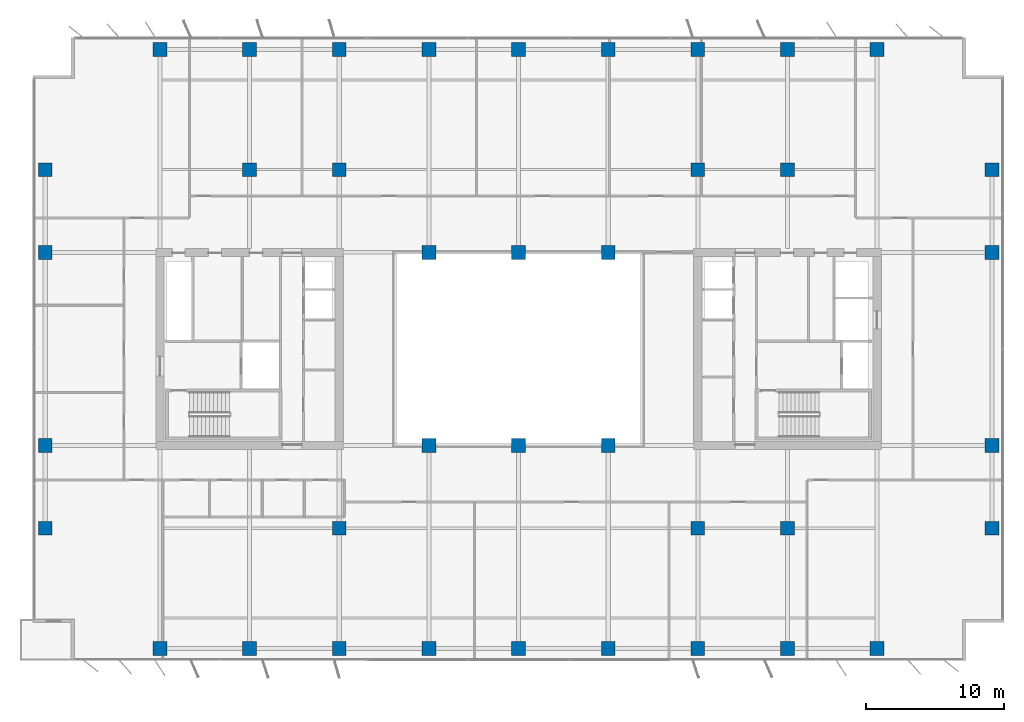
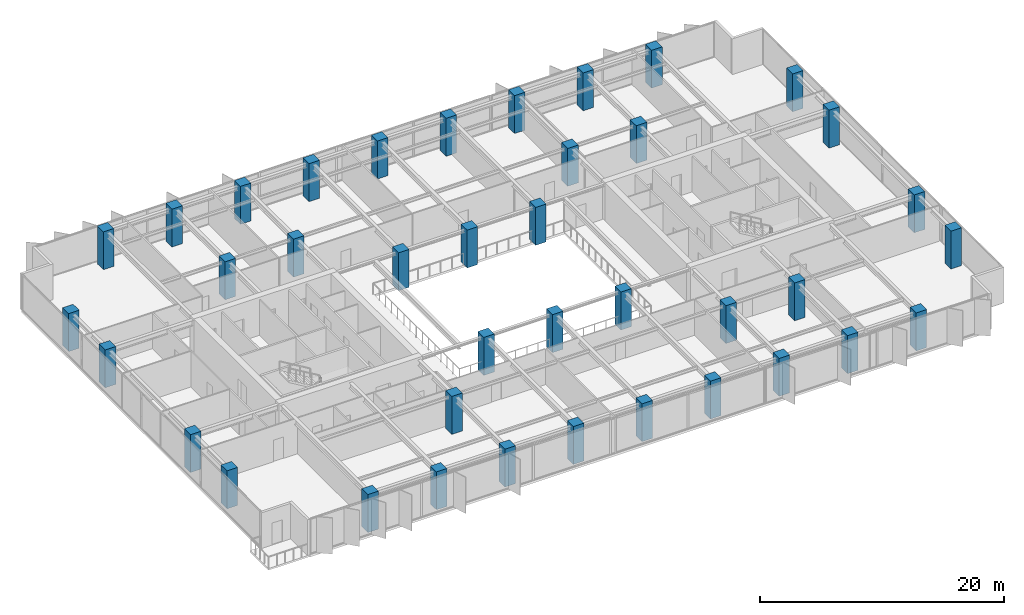
# One storey, part 1 of 22: 39 columns.
"""IFC4 building model written with IfcOpenShell, lengths in metres."""

from ifc_helpers import new_model, si_unit, direction, frame, origin, origin_2d, place, context, subcontext, project, spatial, rectangle, extrude, material, material_profile, profile_set, type_object, element, save


model = new_model("IFC4")

# Units and contexts
model_context = context("Model", 3, precision=1e-05, world=origin(), true_north=direction((0.0, 1.0)))
body_context = subcontext(model_context, "Body", "Model", "MODEL_VIEW")
ifc_project = project(units=[si_unit("LENGTHUNIT", "METRE"), si_unit("AREAUNIT", "SQUARE_METRE"), si_unit("VOLUMEUNIT", "CUBIC_METRE"), si_unit("PLANEANGLEUNIT", "RADIAN"), si_unit("MASSUNIT", "GRAM", prefix="KILO")], contexts=[model_context])

# Site, building, storey
site_placement = place(None, origin())
site = spatial("IfcSite", under=ifc_project, at=site_placement, CompositionType="ELEMENT")
building_placement = place(site_placement, origin())
building = spatial("IfcBuilding", under=site, at=building_placement, Name="Putna Gate Headquarters", CompositionType="ELEMENT")
storey_placement = place(building_placement, frame((0.0, 0.0, 159.39990234375)))
storey = spatial("IfcBuildingStorey", under=building, at=storey_placement, Name="L39", CompositionType="ELEMENT", Elevation=159.39990234375)

# Columns
ifc_material = material(Name="Concrete C50/60", Category="concrete")
ifc_material_profile_1 = material_profile(ifc_material, rectangle(XDim=1.0, YDim=1.0, at=origin_2d()), Name="Concrete C50/60")
ifc_profile_set_1 = profile_set([ifc_material_profile_1], Name="Concrete C50/60")
column_type_1 = type_object("IfcColumnType", Name="COL-RC1000-EXT", PredefinedType="COLUMN", material=ifc_profile_set_1)
for number, where, z_axis, x_axis, name in (
    (1, (13.0, 4.280029296875, 0.0), (0.0, 0.0, 1.0), (1.0, 0.0, 0.0), "L39 Column CP-S13"),
    (2, (13.0, 47.719970703125, 0.0), (0.0, 0.0, 1.0), (1.0, 0.0, 0.0), "L39 Column CP-N13"),
    (3, (19.5, 4.280029296875, 0.0), (0.0, 0.0, 1.0), (1.0, 0.0, 0.0), "L39 Column CP-S19"),
    (4, (19.5, 47.719970703125, 0.0), (0.0, 0.0, 1.0), (1.0, 0.0, 0.0), "L39 Column CP-N19"),
    (5, (26.0, 4.280029296875, 0.0), (0.0, 0.0, 1.0), (1.0, 0.0, 0.0), "L39 Column CP-S26"),
    (6, (26.0, 47.719970703125, 0.0), (0.0, 0.0, 1.0), (1.0, 0.0, 0.0), "L39 Column CP-N26"),
    (7, (32.5, 4.280029296875, 0.0), (0.0, 0.0, 1.0), (1.0, 0.0, 0.0), "L39 Column CP-S32"),
    (8, (32.5, 47.719970703125, 0.0), (0.0, 0.0, 1.0), (1.0, 0.0, 0.0), "L39 Column CP-N32"),
    (9, (39.0, 4.280029296875, 0.0), (0.0, 0.0, 1.0), (1.0, 0.0, 0.0), "L39 Column CP-S39"),
    (10, (39.0, 47.719970703125, 0.0), (0.0, 0.0, 1.0), (1.0, 0.0, 0.0), "L39 Column CP-N39"),
    (11, (45.5, 4.280029296875, 0.0), (0.0, 0.0, 1.0), (1.0, 0.0, 0.0), "L39 Column CP-S45"),
    (12, (45.5, 47.719970703125, 0.0), (0.0, 0.0, 1.0), (1.0, 0.0, 0.0), "L39 Column CP-N45"),
    (13, (52.0, 4.280029296875, 0.0), (0.0, 0.0, 1.0), (1.0, 0.0, 0.0), "L39 Column CP-S52"),
    (14, (52.0, 47.719970703125, 0.0), (0.0, 0.0, 1.0), (1.0, 0.0, 0.0), "L39 Column CP-N52"),
    (15, (58.5, 4.280029296875, 0.0), (0.0, 0.0, 1.0), (1.0, 0.0, 0.0), "L39 Column CP-S58"),
    (16, (58.5, 47.719970703125, 0.0), (0.0, 0.0, 1.0), (1.0, 0.0, 0.0), "L39 Column CP-N58"),
    (17, (65.0, 4.280029296875, 0.0), (0.0, 0.0, 1.0), (1.0, 0.0, 0.0), "L39 Column CP-S65"),
    (18, (65.0, 47.719970703125, 0.0), (0.0, 0.0, 1.0), (1.0, 0.0, 0.0), "L39 Column CP-N65"),
    (19, (4.679931640625, 13.0, 0.0), (0.0, 0.0, 1.0), (1.0, 0.0, 0.0), "L39 Column CP-W13"),
    (20, (73.320068359375, 13.0, 0.0), (0.0, 0.0, 1.0), (1.0, 0.0, 0.0), "L39 Column CP-E13"),
    (21, (4.679931640625, 19.0, 0.0), (0.0, 0.0, 1.0), (1.0, 0.0, 0.0), "L39 Column CP-W19"),
    (22, (73.320068359375, 19.0, 0.0), (0.0, 0.0, 1.0), (1.0, 0.0, 0.0), "L39 Column CP-E19"),
    (23, (4.679931640625, 33.0, 0.0), (0.0, 0.0, 1.0), (1.0, 0.0, 0.0), "L39 Column CP-W33"),
    (24, (73.320068359375, 33.0, 0.0), (0.0, 0.0, 1.0), (1.0, 0.0, 0.0), "L39 Column CP-E33"),
    (25, (4.679931640625, 39.0, 0.0), (0.0, 0.0, 1.0), (1.0, 0.0, 0.0), "L39 Column CP-W39"),
    (26, (73.320068359375, 39.0, 0.0), (0.0, 0.0, 1.0), (1.0, 0.0, 0.0), "L39 Column CP-E39"),
):
    element("IfcColumn", number, at=place(storey_placement, frame(where, z_axis=z_axis, x_axis=x_axis)), inside=storey, type_object=column_type_1, Name=name, PredefinedType="COLUMN", context=body_context, shape_type="SweptSolid", body=[
        extrude(rectangle(XDim=1.0, YDim=1.0, at=origin_2d()), origin(), (0.0, 0.0, 1.0), 3.800048828125),
    ])
ifc_material_profile_2 = material_profile(ifc_material, rectangle(XDim=1.0, YDim=1.0, at=origin_2d()), Name="Concrete C50/60")
ifc_profile_set_2 = profile_set([ifc_material_profile_2], Name="Concrete C50/60")
column_type_2 = type_object("IfcColumnType", Name="COL-RC1000-INT", PredefinedType="COLUMN", material=ifc_profile_set_2)
for number, where, z_axis, x_axis, name in (
    (27, (19.5, 39.0, 0.0), (0.0, 0.0, 1.0), (1.0, 0.0, 0.0), "L39 Column CSI-WN"),
    (28, (58.5, 13.0, 0.0), (0.0, 0.0, 1.0), (1.0, 0.0, 0.0), "L39 Column CSI-ES"),
    (29, (58.5, 39.0, 0.0), (0.0, 0.0, 1.0), (1.0, 0.0, 0.0), "L39 Column CSI-EN"),
    (30, (32.5, 19.0, 0.0), (0.0, 0.0, 1.0), (1.0, 0.0, 0.0), "L39 Column CAI-S32"),
    (31, (32.5, 33.0, 0.0), (0.0, 0.0, 1.0), (1.0, 0.0, 0.0), "L39 Column CAI-N32"),
    (32, (39.0, 19.0, 0.0), (0.0, 0.0, 1.0), (1.0, 0.0, 0.0), "L39 Column CAI-S39"),
    (33, (39.0, 33.0, 0.0), (0.0, 0.0, 1.0), (1.0, 0.0, 0.0), "L39 Column CAI-N39"),
    (34, (45.5, 19.0, 0.0), (0.0, 0.0, 1.0), (1.0, 0.0, 0.0), "L39 Column CAI-S45"),
    (35, (45.5, 33.0, 0.0), (0.0, 0.0, 1.0), (1.0, 0.0, 0.0), "L39 Column CAI-N45"),
    (36, (26.0, 13.0, 0.0), (0.0, 0.0, 1.0), (1.0, 0.0, 0.0), "L39 Column CAP-WS"),
    (37, (26.0, 39.0, 0.0), (0.0, 0.0, 1.0), (1.0, 0.0, 0.0), "L39 Column CAP-WN"),
    (38, (52.0, 13.0, 0.0), (0.0, 0.0, 1.0), (1.0, 0.0, 0.0), "L39 Column CAP-ES"),
    (39, (52.0, 39.0, 0.0), (0.0, 0.0, 1.0), (1.0, 0.0, 0.0), "L39 Column CAP-EN"),
):
    element("IfcColumn", number, at=place(storey_placement, frame(where, z_axis=z_axis, x_axis=x_axis)), inside=storey, type_object=column_type_2, Name=name, PredefinedType="COLUMN", context=body_context, shape_type="SweptSolid", body=[
        extrude(rectangle(XDim=1.0, YDim=1.0, at=origin_2d()), origin(), (0.0, 0.0, 1.0), 3.800048828125),
    ])

save(model, "model.ifc")
